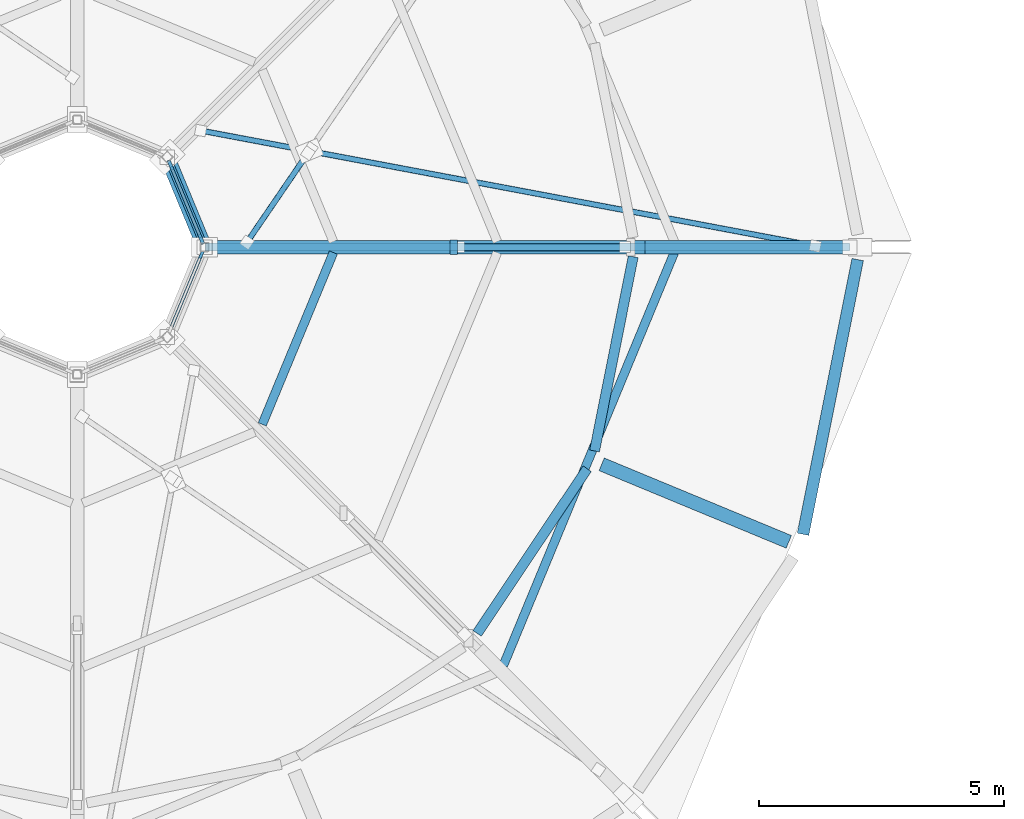
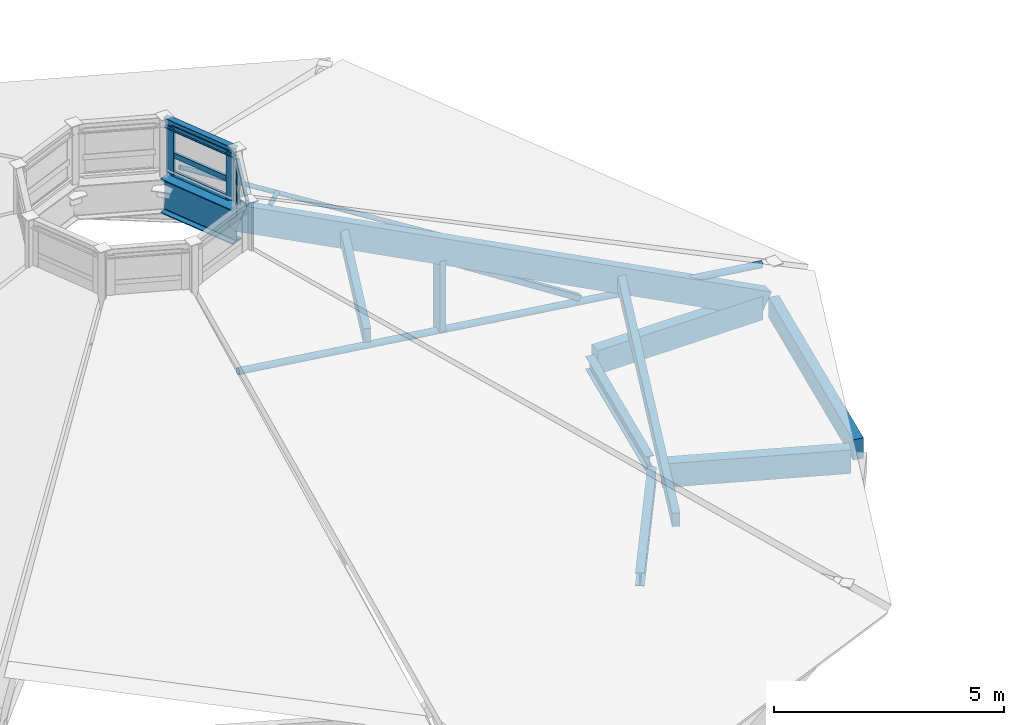
# One storey, part 32 of 66: 15 members, 7 beams, 2 elements without a shape of their own.
"""IFC4 building model written with IfcOpenShell, lengths in metres."""

from ifc_helpers import new_model, si_unit, direction, frame, origin, origin_2d, place, context, subcontext, project, spatial, rectangle, hollow_rectangle, hollow_circle, i_section, extrude, material, layer, layer_set, material_profile, profile_set, type_object, element, aggregate, save


model = new_model("IFC4")

# Units and contexts
model_context = context("Model", 3, precision=1e-05, world=origin(), true_north=direction((0.0, 1.0)))
body_context = subcontext(model_context, "Body", "Model", "MODEL_VIEW")
ifc_project = project(units=[si_unit("LENGTHUNIT", "METRE"), si_unit("AREAUNIT", "SQUARE_METRE"), si_unit("VOLUMEUNIT", "CUBIC_METRE"), si_unit("PLANEANGLEUNIT", "RADIAN"), si_unit("MASSUNIT", "GRAM", prefix="KILO")], contexts=[model_context])

# Site, building, storey
site_placement = place(None, origin())
site = spatial("IfcSite", under=ifc_project, at=site_placement, CompositionType="ELEMENT")
building_placement = place(site_placement, origin())
building = spatial("IfcBuilding", under=site, at=building_placement, Name="Caldaven Crescent School", CompositionType="ELEMENT")
storey_placement = place(building_placement, frame((0.0, 0.0, 8.159912109375)))
storey = spatial("IfcBuildingStorey", under=building, at=storey_placement, Name="L02", CompositionType="ELEMENT", Elevation=8.159912109375)

# Beams
ifc_material_1 = material(Name="Glulam MLE24h (GL28h)", Category="wood")
ifc_material_profile_1 = material_profile(ifc_material_1, rectangle(XDim=0.280029296875, YDim=0.6298828125, at=origin_2d()), Name="MLE 280x630")
ifc_profile_set_1 = profile_set([ifc_material_profile_1], Name="Glulam MLE24h (GL28h)")
beam_type_1 = type_object("IfcBeamType", Name="BM-GL63", PredefinedType="BEAM", material=ifc_profile_set_1)
for number, where, z_axis, x_axis, name in (
    (1, (35.10009765625, 98.5, -0.534912109375), (1.0, 0.0, 0.0), (0.0, 1.0, 0.0), "BM-V2-L02-0349"),
    (2, (34.217041015625, 94.060791015625, -0.534912109375), (0.923880985108, -0.382679925467, 0.0), (0.382679925467, 0.923880985108, 0.0), "BM-V2-L02-0394"),
):
    element("IfcBeam", number, at=place(storey_placement, frame(where, z_axis=z_axis, x_axis=x_axis)), inside=storey, type_object=beam_type_1, Name=name, PredefinedType="BEAM", context=body_context, shape_type="SweptSolid", body=[
        extrude(rectangle(XDim=0.280029296875, YDim=0.6298828125, at=origin_2d()), origin(), (0.0, 0.0, 1.0), 4.139892578125),
    ])
ifc_material_2 = material(Name="Steel ASTM A572 Grade 50", Category="steel")
ifc_material_profile_2 = material_profile(ifc_material_2, i_section(OverallWidth=0.14599609375, OverallDepth=0.258056640625, WebThickness=0.006103515625, FlangeThickness=0.009033203125, FilletRadius=0.011962890625, at=origin_2d()), Name="W250x33")
ifc_profile_set_2 = profile_set([ifc_material_profile_2], Name="Steel ASTM A572 Grade 50")
beam_type_2 = type_object("IfcBeamType", Name="BM-W25", PredefinedType="BEAM", material=ifc_profile_set_2)
beam_1_placement = place(storey_placement, frame((26.09228515625, 98.5185546875, 8.12109375), z_axis=(-0.382631933277, 0.923900862451, 0.0), x_axis=(-0.923900862451, -0.382631933277, 0.0)))
element("IfcBeam", 3, at=beam_1_placement, inside=storey, type_object=beam_type_2, Name="LRNG-V2-L02-0398", PredefinedType="BEAM", context=body_context, shape_type="SweptSolid", body=[
    extrude(i_section(OverallWidth=0.14599609375, OverallDepth=0.258056640625, WebThickness=0.006103515625, FlangeThickness=0.009033203125, FilletRadius=0.011962890625, at=origin_2d()), origin(), (0.0, 0.0, 1.0), 1.949951171875),
])
ifc_material_profile_3 = material_profile(ifc_material_2, i_section(OverallWidth=0.205078125, OverallDepth=0.35400390625, WebThickness=0.009521484375, FlangeThickness=0.016845703125, FilletRadius=0.014892578125, at=origin_2d()), Name="W360x79")
ifc_profile_set_3 = profile_set([ifc_material_profile_3], Name="Steel ASTM A572 Grade 50")
beam_type_3 = type_object("IfcBeamType", Name="BM-W36", PredefinedType="BEAM", material=ifc_profile_set_3)
beam_2_placement = place(storey_placement, frame((31.672119140625, 90.605224609375, -0.39697265625), z_axis=(0.55556277476, 0.831474595704, 0.0), x_axis=(-0.831474595704, 0.55556277476, 0.0)))
element("IfcBeam", 4, at=beam_2_placement, inside=storey, type_object=beam_type_3, Name="BM-V2-L02-0392", PredefinedType="BEAM", context=body_context, shape_type="SweptSolid", body=[
    extrude(i_section(OverallWidth=0.205078125, OverallDepth=0.35400390625, WebThickness=0.009521484375, FlangeThickness=0.016845703125, FilletRadius=0.014892578125, at=origin_2d()), origin(), (0.0, 0.0, 1.0), 4.048095703125),
])
beam_3_placement = place(storey_placement, frame((34.0712890625, 94.33349609375, -0.39697265625), z_axis=(0.195095436925, 0.980784262971, 0.0), x_axis=(-0.980784262971, 0.195095436925, 0.0)))
element("IfcBeam", 5, at=beam_3_placement, inside=storey, type_object=beam_type_3, Name="BM-V2-L02-0395", PredefinedType="BEAM", context=body_context, shape_type="SweptSolid", body=[
    extrude(i_section(OverallWidth=0.205078125, OverallDepth=0.35400390625, WebThickness=0.009521484375, FlangeThickness=0.016845703125, FilletRadius=0.014892578125, at=origin_2d()), origin(), (0.0, 0.0, 1.0), 4.04833984375),
])
ifc_material_profile_4 = material_profile(ifc_material_2, i_section(OverallWidth=0.303955078125, OverallDepth=0.910888671875, WebThickness=0.015869140625, FlangeThickness=0.02392578125, FilletRadius=0.02197265625, at=origin_2d()), Name="W920x223")
ifc_profile_set_4 = profile_set([ifc_material_profile_4], Name="Steel ASTM A572 Grade 50")
beam_type_4 = type_object("IfcBeamType", Name="BM-W92", PredefinedType="BEAM", material=ifc_profile_set_4)
beam_4_placement = place(storey_placement, frame((26.09619140625, 98.50927734375, 6.20458984375), z_axis=(-0.382687440576, 0.923877872246, 0.0), x_axis=(-0.923877872246, -0.382687440576, 0.0)))
element("IfcBeam", 6, at=beam_4_placement, inside=storey, type_object=beam_type_4, Name="RING-V2-L02-0397", PredefinedType="BEAM", context=body_context, shape_type="SweptSolid", body=[
    extrude(i_section(OverallWidth=0.303955078125, OverallDepth=0.910888671875, WebThickness=0.015869140625, FlangeThickness=0.02392578125, FilletRadius=0.02197265625, at=origin_2d()), origin(), (0.0, 0.0, 1.0), 1.969970703125),
])

# Members
ifc_material_profile_5 = material_profile(ifc_material_2, hollow_circle(Radius=0.05712890625, WallThickness=0.008056640625, at=origin_2d()), Name="CHS 114.3x8.0")
ifc_profile_set_5 = profile_set([ifc_material_profile_5], Name="Steel ASTM A572 Grade 50")
member_type_1 = type_object("IfcMemberType", Name="BR-CH11", PredefinedType="BRACE", material=ifc_profile_set_5)
member_1_placement = place(storey_placement, frame((38.57861328125, 98.522705078125, -0.494140625), z_axis=(-0.867283130276, 0.16295821074, 0.470387705506), x_axis=(-0.184663595385, -0.98280178904, 0.0)))
element("IfcMember", 7, at=member_1_placement, inside=storey, type_object=member_type_1, Name="RBR-V2-00-X1", PredefinedType="BRACE", context=body_context, shape_type="SweptSolid", body=[
    extrude(hollow_circle(Radius=0.05712890625, WallThickness=0.008056640625, at=origin_2d()), origin(), (0.0, 0.0, 1.0), 14.473876953125),
])
member_2_placement = place(storey_placement, frame((28.2109375, 100.417236328125, 5.14208984375), z_axis=(-0.498106201549, -0.728446028426, 0.470379204099), x_axis=(0.825467899291, -0.564449065231, 0.0)))
element("IfcMember", 8, at=member_2_placement, inside=storey, type_object=member_type_1, Name="RBR-V2-00-X2B", PredefinedType="BRACE", context=body_context, shape_type="SweptSolid", body=[
    extrude(hollow_circle(Radius=0.05712890625, WallThickness=0.008056640625, at=origin_2d()), origin(), (0.0, 0.0, 1.0), 2.491943359375),
])
ifc_material_profile_6 = material_profile(ifc_material_2, hollow_circle(Radius=0.084228515625, WallThickness=0.012451171875, at=origin_2d()), Name="CHS 168.3x12.5")
ifc_profile_set_6 = profile_set([ifc_material_profile_6], Name="Steel ASTM A572 Grade 50")
member_type_2 = type_object("IfcMemberType", Name="BR-CH16", PredefinedType="BRACE", material=ifc_profile_set_6)
member_3_placement = place(storey_placement, frame((39.281982421875, 98.5, 0.529296875), z_axis=(-0.991098017643, 0.0, 0.133134215829), x_axis=(0.0, -1.0, 0.0)))
element("IfcMember", 9, at=member_3_placement, inside=storey, type_object=member_type_2, Name="TT-V2-00", PredefinedType="BRACE", context=body_context, shape_type="SweptSolid", body=[
    extrude(hollow_circle(Radius=0.084228515625, WallThickness=0.012451171875, at=origin_2d()), origin(), (0.0, 0.0, 1.0), 13.2802734375),
])
ifc_material_profile_7 = material_profile(ifc_material_1, rectangle(XDim=0.280029296875, YDim=0.6298828125, at=origin_2d()), Name="MLE 280x630")
ifc_profile_set_7 = profile_set([ifc_material_profile_7], Name="Glulam MLE24h (GL28h)")
member_type_3 = type_object("IfcMemberType", Name="CH-GL63", PredefinedType="CHORD", material=ifc_profile_set_7)
member_4_placement = place(storey_placement, frame((39.32275390625, 98.5, -0.46728515625), z_axis=(-0.886348346323, 0.0, 0.463019015777), x_axis=(0.0, -1.0, 0.0)))
element("IfcMember", 10, at=member_4_placement, inside=storey, type_object=member_type_3, Name="TC-V2-00", PredefinedType="CHORD", context=body_context, shape_type="SweptSolid", body=[
    extrude(rectangle(XDim=0.280029296875, YDim=0.6298828125, at=origin_2d()), origin(), (0.0, 0.0, 1.0), 14.898193359375),
])

# Curtain wall, member
ifc_material_3 = material(Name="Anodised aluminium AA 6063-T6 and low-E double glazing", Category="aluminium")
ifc_layer_1 = layer(ifc_material_3, 0.18994140625)
ifc_layer_set_1 = layer_set([ifc_layer_1], Name="Anodised aluminium AA 6063-T6 and low-E double glazing")
curtain_wall_type_1 = type_object("IfcCurtainWallType", Name="CW-SYS2", PredefinedType="NOTDEFINED", material=ifc_layer_set_1)
curtain_wall_1_placement = place(storey_placement, origin())
curtain_wall_1 = element("IfcCurtainWall", 11, at=curtain_wall_1_placement, inside=storey, type_object=curtain_wall_type_1, Name="CW-L02-080", PredefinedType="NOTDEFINED")
ifc_material_4 = material(Name="Anodised aluminium AA 6063-T6", Category="aluminium")
ifc_material_profile_8 = material_profile(ifc_material_4, rectangle(XDim=0.06005859375, YDim=0.14990234375, at=origin_2d()), Name="CWM 60x150")
ifc_profile_set_8 = profile_set([ifc_material_profile_8], Name="Anodised aluminium AA 6063-T6")
member_type_4 = type_object("IfcMemberType", Name="CWM-T1", PredefinedType="MULLION", material=ifc_profile_set_8)
member_5_placement = place(storey_placement, frame((26.034912109375, 98.343017578125, 6.800048828125), z_axis=(0.0, 0.0, 1.0), x_axis=(-0.923879624255, 0.382683210876, 0.0)))
member_5 = element("IfcMember", 12, at=member_5_placement, type_object=member_type_4, Name="CW2 mullion 2", PredefinedType="MULLION", context=body_context, shape_type="SweptSolid", body=[
    extrude(rectangle(XDim=0.06005859375, YDim=0.14990234375, at=origin_2d()), origin(), (0.0, 0.0, 1.0), 1.25),
])

# Curtain wall, members
ifc_layer_2 = layer(ifc_material_3, 0.2099609375)
ifc_layer_set_2 = layer_set([ifc_layer_2], Name="Anodised aluminium AA 6063-T6 and low-E double glazing")
curtain_wall_type_2 = type_object("IfcCurtainWallType", Name="CW-SYS3", PredefinedType="NOTDEFINED", material=ifc_layer_set_2)
curtain_wall_2_placement = place(storey_placement, origin())
curtain_wall_2 = element("IfcCurtainWall", 13, at=curtain_wall_2_placement, inside=storey, type_object=curtain_wall_type_2, Name="CW-L02-073", PredefinedType="NOTDEFINED")
ifc_material_profile_9 = material_profile(ifc_material_4, rectangle(XDim=0.070068359375, YDim=0.2099609375, at=origin_2d()), Name="CWM 70x210")
ifc_profile_set_9 = profile_set([ifc_material_profile_9], Name="Anodised aluminium AA 6063-T6")
member_type_5 = type_object("IfcMemberType", Name="CWM-T3", PredefinedType="MULLION", material=ifc_profile_set_9)
member_6_placement = place(storey_placement, frame((26.032958984375, 98.66162109375, 6.800048828125), z_axis=(0.0, 0.0, 1.0), x_axis=(-0.923879624255, -0.382683210876, 0.0)))
member_6 = element("IfcMember", 14, at=member_6_placement, type_object=member_type_5, Name="CW3 mullion 1", PredefinedType="MULLION", context=body_context, shape_type="SweptSolid", body=[
    extrude(rectangle(XDim=0.070068359375, YDim=0.2099609375, at=origin_2d()), origin(), (0.0, 0.0, 1.0), 1.25),
])
member_7_placement = place(storey_placement, frame((25.405517578125, 100.1767578125, 6.800048828125), z_axis=(0.0, 0.0, 1.0), x_axis=(-0.923879624255, -0.382683210876, 0.0)))
member_7 = element("IfcMember", 15, at=member_7_placement, type_object=member_type_5, Name="CW3 mullion 2", PredefinedType="MULLION", context=body_context, shape_type="SweptSolid", body=[
    extrude(rectangle(XDim=0.070068359375, YDim=0.2099609375, at=origin_2d()), origin(), (0.0, 0.0, 1.0), 1.25),
])
ifc_material_profile_10 = material_profile(ifc_material_4, rectangle(XDim=0.06494140625, YDim=0.139892578125, at=origin_2d()), Name="CWT 65x140")
ifc_profile_set_10 = profile_set([ifc_material_profile_10], Name="Anodised aluminium AA 6063-T6")
member_type_6 = type_object("IfcMemberType", Name="CWT-T2", PredefinedType="USERDEFINED", material=ifc_profile_set_10)
member_8_placement = place(storey_placement, frame((26.01953125, 98.694091796875, 6.83251953125), z_axis=(-0.382571558069, 0.923925864427, 0.0), x_axis=(-0.923925864427, -0.382571558069, 0.0)))
member_8 = element("IfcMember", 16, at=member_8_placement, type_object=member_type_6, Name="CW3 transom 1.1", ObjectType="TRANSOM", PredefinedType="USERDEFINED", context=body_context, shape_type="SweptSolid", body=[
    extrude(rectangle(XDim=0.06494140625, YDim=0.139892578125, at=origin_2d()), origin(), (0.0, 0.0, 1.0), 1.56982421875),
])
member_9_placement = place(storey_placement, frame((26.01953125, 98.694091796875, 7.3251953125), z_axis=(-0.382571558069, 0.923925864427, 0.0), x_axis=(-0.923925864427, -0.382571558069, 0.0)))
member_9 = element("IfcMember", 17, at=member_9_placement, type_object=member_type_6, Name="CW3 transom 1.2", ObjectType="TRANSOM", PredefinedType="USERDEFINED", context=body_context, shape_type="SweptSolid", body=[
    extrude(rectangle(XDim=0.06494140625, YDim=0.139892578125, at=origin_2d()), origin(), (0.0, 0.0, 1.0), 1.56982421875),
])
member_10_placement = place(storey_placement, frame((26.01953125, 98.694091796875, 8.017578125), z_axis=(-0.382571558069, 0.923925864427, 0.0), x_axis=(-0.923925864427, -0.382571558069, 0.0)))
member_10 = element("IfcMember", 18, at=member_10_placement, type_object=member_type_6, Name="CW3 transom 1.3", ObjectType="TRANSOM", PredefinedType="USERDEFINED", context=body_context, shape_type="SweptSolid", body=[
    extrude(rectangle(XDim=0.06494140625, YDim=0.139892578125, at=origin_2d()), origin(), (0.0, 0.0, 1.0), 1.56982421875),
])
aggregate(curtain_wall_2, [member_6, member_7, member_8, member_9, member_10])

# Member
member_11_placement = place(storey_placement, frame((25.4150390625, 96.84619140625, 8.017578125), z_axis=(0.382641098554, 0.923897066614, 0.0), x_axis=(-0.923897066614, 0.382641098554, 0.0)))
member_11 = element("IfcMember", 19, at=member_11_placement, type_object=member_type_6, Name="CW2 transom 1.3", ObjectType="TRANSOM", PredefinedType="USERDEFINED", context=body_context, shape_type="SweptSolid", body=[
    extrude(rectangle(XDim=0.06494140625, YDim=0.139892578125, at=origin_2d()), origin(), (0.0, 0.0, 1.0), 1.590087890625),
])

aggregate(curtain_wall_1, [member_5, member_11])

# Members
ifc_material_profile_11 = material_profile(ifc_material_1, rectangle(XDim=0.179931640625, YDim=0.360107421875, at=origin_2d()), Name="MLE 180x360")
ifc_profile_set_11 = profile_set([ifc_material_profile_11], Name="Glulam MLE24h (GL28h)")
member_type_7 = type_object("IfcMemberType", Name="PR-GL36", PredefinedType="PURLIN", material=ifc_profile_set_11)
member_12_placement = place(storey_placement, frame((32.20654296875, 89.9501953125, 1.400146484375), z_axis=(0.38269013965, 0.923876754235, 0.0), x_axis=(-0.923876754235, 0.38269013965, 0.0)))
element("IfcMember", 20, at=member_12_placement, inside=storey, type_object=member_type_7, Name="PUR-V2-07-0", PredefinedType="PURLIN", context=body_context, shape_type="SweptSolid", body=[
    extrude(rectangle(XDim=0.179931640625, YDim=0.360107421875, at=origin_2d()), origin(), (0.0, 0.0, 1.0), 9.13427734375),
])
member_13_placement = place(storey_placement, frame((27.279541015625, 94.87744140625, 5.0400390625), z_axis=(0.382680807349, 0.923880619824, 0.0), x_axis=(-0.923880619824, 0.382680807349, 0.0)))
element("IfcMember", 21, at=member_13_placement, inside=storey, type_object=member_type_7, Name="PUR-V2-07-2", PredefinedType="PURLIN", context=body_context, shape_type="SweptSolid", body=[
    extrude(rectangle(XDim=0.179931640625, YDim=0.360107421875, at=origin_2d()), origin(), (0.0, 0.0, 1.0), 3.801025390625),
])

# Beam
ifc_material_profile_12 = material_profile(ifc_material_1, rectangle(XDim=0.239990234375, YDim=0.5400390625, at=origin_2d()), Name="MLE 240x540")
ifc_profile_set_12 = profile_set([ifc_material_profile_12], Name="Glulam MLE24h (GL28h)")
beam_type_5 = type_object("IfcBeamType", Name="SP-GL54", PredefinedType="SPANDREL", material=ifc_profile_set_12)
beam_5_placement = place(storey_placement, frame((38.332763671875, 92.632080078125, -0.489990234375), z_axis=(0.195082351248, 0.980786865854, 0.0), x_axis=(-0.980786865854, 0.195082351248, 0.0)))
element("IfcBeam", 22, at=beam_5_placement, inside=storey, type_object=beam_type_5, Name="BM-V2-L02-0396", PredefinedType="SPANDREL", context=body_context, shape_type="SweptSolid", body=[
    extrude(rectangle(XDim=0.239990234375, YDim=0.5400390625, at=origin_2d()), origin(), (0.0, 0.0, 1.0), 5.722900390625),
])

# Members
ifc_material_profile_13 = material_profile(ifc_material_1, rectangle(XDim=0.14990234375, YDim=0.300048828125, at=origin_2d()), Name="MLE 150x300")
ifc_profile_set_13 = profile_set([ifc_material_profile_13], Name="Glulam MLE24h (GL28h)")
member_type_8 = type_object("IfcMemberType", Name="ST-GL30", PredefinedType="STRUT", material=ifc_profile_set_13)
member_14_placement = place(storey_placement, frame((31.19189453125, 98.5, 1.656005859375), z_axis=(0.0, 0.0, 1.0), x_axis=(1.0, 0.0, 0.0)))
element("IfcMember", 23, at=member_14_placement, inside=storey, type_object=member_type_8, Name="WS-V2-00-1", PredefinedType="STRUT", context=body_context, shape_type="SweptSolid", body=[
    extrude(rectangle(XDim=0.14990234375, YDim=0.300048828125, at=origin_2d()), origin(), (0.0, 0.0, 1.0), 1.884033203125),
])
ifc_material_profile_14 = material_profile(ifc_material_2, hollow_rectangle(XDim=0.14990234375, YDim=0.14990234375, WallThickness=0.008056640625, InnerFilletRadius=0.008056640625, OuterFilletRadius=0.01611328125, at=origin_2d()), Name="HSS 150x150x8")
ifc_profile_set_14 = profile_set([ifc_material_profile_14], Name="Steel ASTM A572 Grade 50")
member_type_9 = type_object("IfcMemberType", Name="ST-HS15", PredefinedType="STRUT", material=ifc_profile_set_14)
member_15_placement = place(storey_placement, frame((34.6923828125, 98.5, 1.265869140625), z_axis=(-0.840730639983, 0.0, 0.541453590803), x_axis=(0.0, -1.0, 0.0)))
element("IfcMember", 24, at=member_15_placement, inside=storey, type_object=member_type_9, Name="WB-V2-00", PredefinedType="STRUT", context=body_context, shape_type="SweptSolid", body=[
    extrude(hollow_rectangle(XDim=0.14990234375, YDim=0.14990234375, WallThickness=0.008056640625, InnerFilletRadius=0.008056640625, OuterFilletRadius=0.01611328125, at=origin_2d()), origin(), (0.0, 0.0, 1.0), 4.0234375),
])

save(model, "model.ifc")
